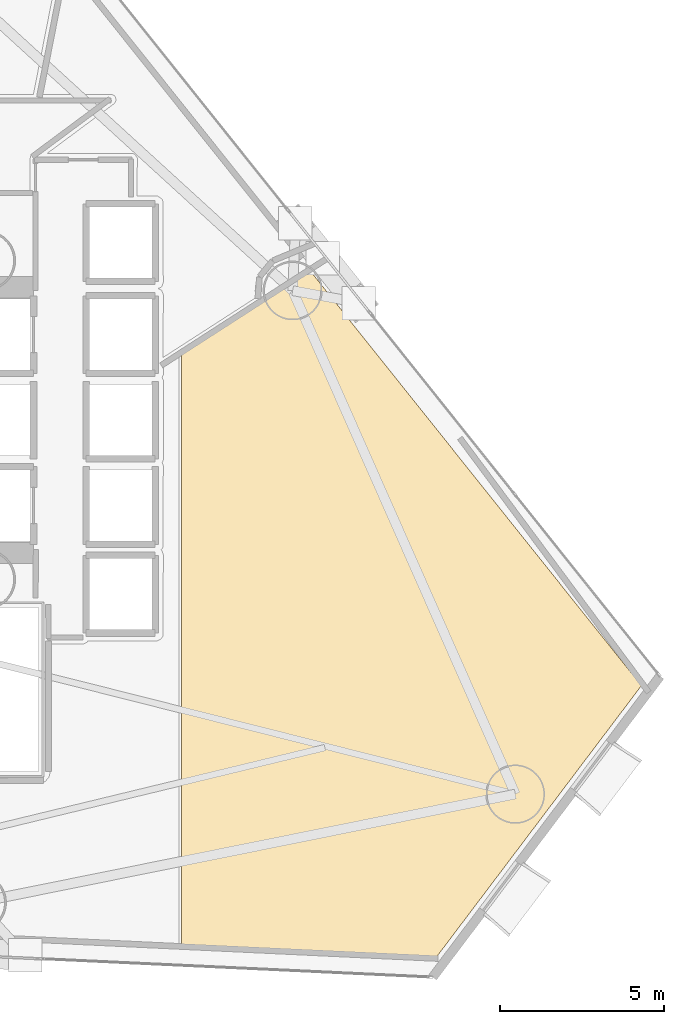
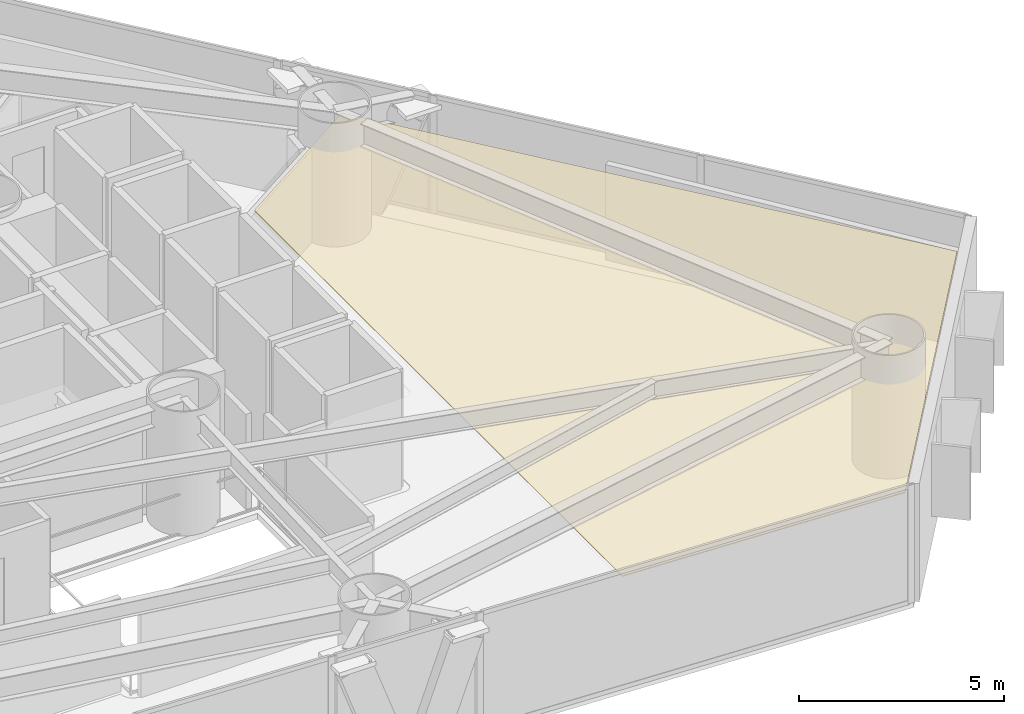
# One storey, part 23 of 23: 1 covering.
"""IFC4 building model written with IfcOpenShell, lengths in metres."""

from ifc_helpers import new_model, si_unit, direction, frame, origin, place, context, subcontext, project, spatial, polyline, outline, extrude, material, layer, layer_set, type_object, element, save


model = new_model("IFC4")

# Units and contexts
model_context = context("Model", 3, precision=1e-05, world=origin(), true_north=direction((0.0, 1.0)))
body_context = subcontext(model_context, "Body", "Model", "MODEL_VIEW")
ifc_project = project(units=[si_unit("LENGTHUNIT", "METRE"), si_unit("AREAUNIT", "SQUARE_METRE"), si_unit("VOLUMEUNIT", "CUBIC_METRE"), si_unit("PLANEANGLEUNIT", "RADIAN"), si_unit("MASSUNIT", "GRAM", prefix="KILO")], contexts=[model_context])

# Site, building, storey
site_placement = place(None, origin())
site = spatial("IfcSite", under=ifc_project, at=site_placement, CompositionType="ELEMENT")
building_placement = place(site_placement, origin())
building = spatial("IfcBuilding", under=site, at=building_placement, Name="Qianvela Tower", CompositionType="ELEMENT")
storey_placement = place(building_placement, frame((0.0, 0.0, 33.10009765625)))
storey = spatial("IfcBuildingStorey", under=building, at=storey_placement, Name="L07", CompositionType="ELEMENT", Elevation=33.10009765625)

# Covering
ifc_material = material(Name="Perforated Mineral Acoustic Ceiling Tile")
ifc_layer = layer(ifc_material, 0.02490234375)
ifc_layer_set = layer_set([ifc_layer], Name="Perforated Mineral Acoustic Ceiling Tile")
covering_type = type_object("IfcCoveringType", Name="COV-CEIL-ACOUSTIC-25", PredefinedType="CEILING", material=ifc_layer_set)
covering_placement = place(storey_placement, frame((0.0, 0.0, 2.81494140625)))
element("IfcCovering", 1, at=covering_placement, inside=storey, type_object=covering_type, Name="L07 Acoustic Ceiling Bay 2 Student Tea Pantry L07-02", PredefinedType="CEILING", context=body_context, shape_type="SweptSolid", body=[
    extrude(outline(polyline([(48.276611328125, 33.230712890625), (58.348388671875, 20.617431640625), (52.11669921875, 12.36669921875), (44.356201171875, 12.73095703125), (44.356201171875, 30.703125), (48.276611328125, 33.230712890625)])), origin(), (0.0, 0.0, 1.0), 0.02490234375),
])

save(model, "model.ifc")
